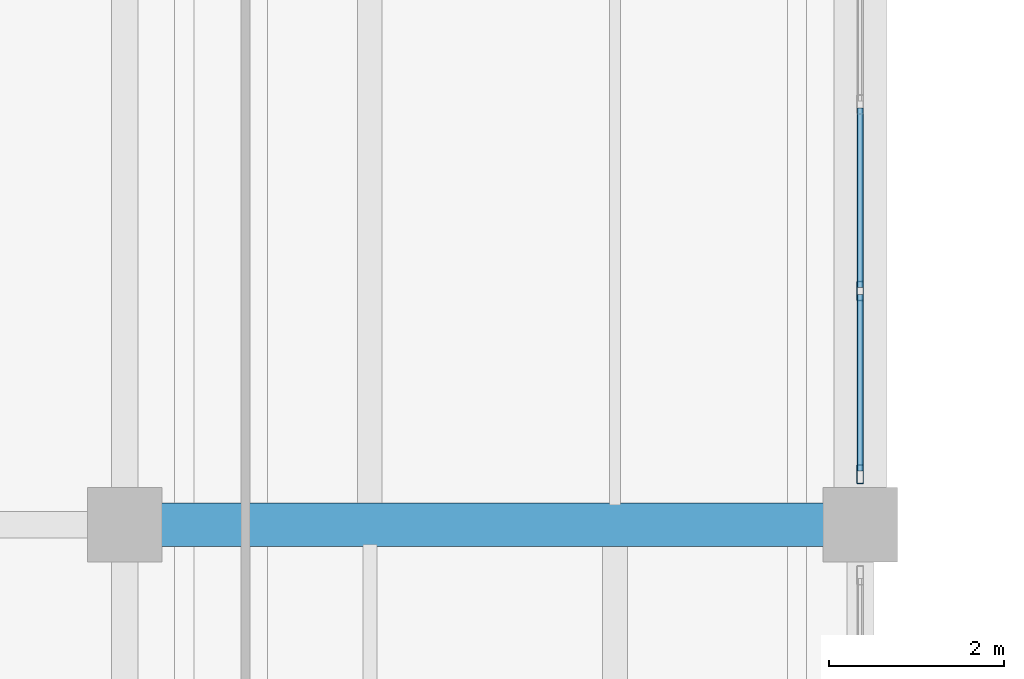
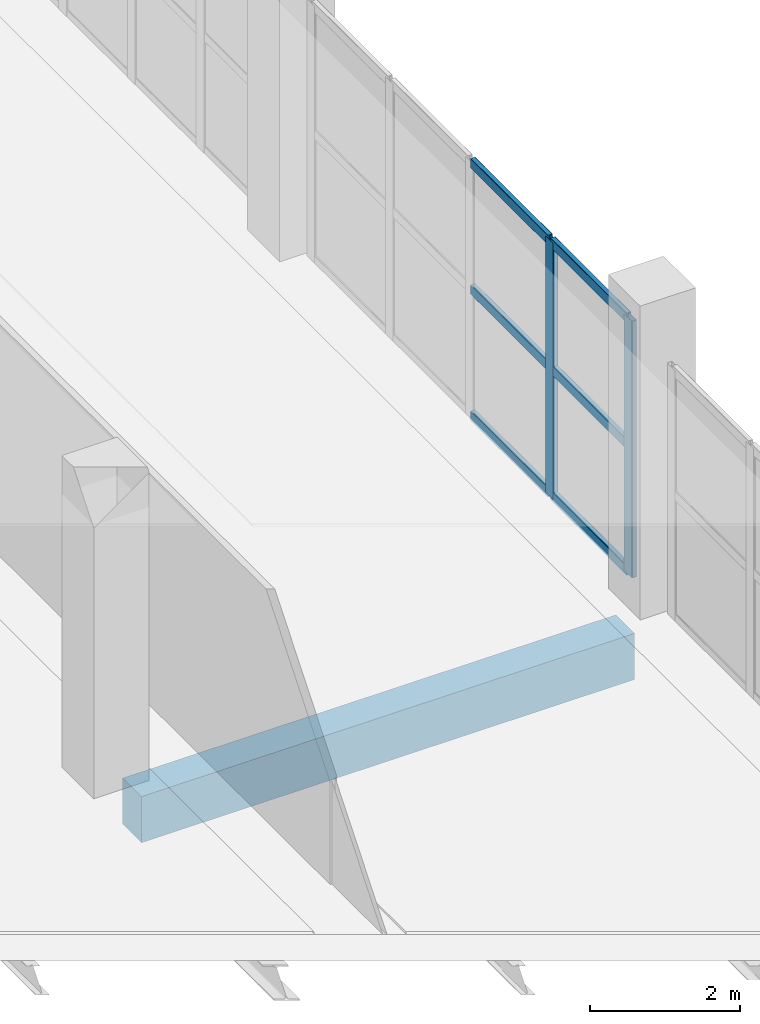
# One storey, part 29 of 66: 8 members, 1 beam, 1 element without a shape of its own.
"""IFC4 building model written with IfcOpenShell, lengths in metres."""

import ifcopenshell
import ifcopenshell.guid

model = None  # the IFC model being written
_history = None  # IfcOwnerHistory: only IFC2X3 demands one
_inside = {}  # id of a spatial element -> (the spatial element, [elements in it])
_under = {}  # id of a project, library or spatial element -> (it, [spatial elements below it])
_declared = {}  # id of a project -> (the project, [libraries it declares])
_typed = {}  # id of a type object -> (the type object, [elements of that type])
_made_of = {}  # id of a material, layer set ... -> (it, [elements and type objects made of it])


def new_model(schema):
    """Start an empty IFC model of exactly this schema.

    Asked for "IFC4X3", IfcOpenShell would pick the latest addendum, in which some entities
    have other attributes; the version numbers below select the first issue.
    IFC2X3 requires an IfcOwnerHistory on every rooted entity: one is made here for all.
    """
    global model, _history
    if schema == "IFC4X3":
        model = ifcopenshell.file(schema_version=(4, 3, 0, 0))
    else:
        model = ifcopenshell.file(schema=schema)
    _inside.clear()
    _under.clear()
    _declared.clear()
    _typed.clear()
    _made_of.clear()
    _history = None
    if model.schema == "IFC2X3":
        org = make("IfcOrganization", Name="unknown")
        user = make(
            "IfcPersonAndOrganization",
            ThePerson=make("IfcPerson", FamilyName="unknown"),
            TheOrganization=org,
        )
        app = make(
            "IfcApplication",
            ApplicationDeveloper=org,
            Version="unknown",
            ApplicationFullName="unknown",
            ApplicationIdentifier="unknown",
        )
        _history = make(
            "IfcOwnerHistory",
            OwningUser=user,
            OwningApplication=app,
            ChangeAction="ADDED",
            CreationDate=0,
        )
    return model


def make(cls, **values):
    """One entity of the class cls with the attributes given. An attribute that is None is left unset."""
    return model.create_entity(
        cls, **{name: value for name, value in values.items() if value is not None}
    )


def rooted(cls, **values):
    """An entity with a GlobalId (a new one), such as an element, a storey or a relation."""
    return make(cls, GlobalId=ifcopenshell.guid.new(), OwnerHistory=_history, **values)


def si_unit(unit_type, name, prefix=None):
    """IfcSIUnit, for example si_unit("LENGTHUNIT", "METRE", prefix="MILLI")."""
    return make("IfcSIUnit", UnitType=unit_type, Prefix=prefix, Name=name)


def assignment(units):
    """IfcUnitAssignment: the units of a project."""
    return None if units is None else make("IfcUnitAssignment", Units=units)


def point(xyz):
    """IfcCartesianPoint."""
    return None if xyz is None else make("IfcCartesianPoint", Coordinates=xyz)


def direction(xyz):
    """IfcDirection."""
    return None if xyz is None else make("IfcDirection", DirectionRatios=xyz)


def frame(location, z_axis=None, x_axis=None):
    """IfcAxis2Placement3D, a coordinate frame: its origin and axes. An axis left out is left unset."""
    return make(
        "IfcAxis2Placement3D",
        Location=point(location),
        Axis=direction(z_axis),
        RefDirection=direction(x_axis),
    )


def frame_2d(location, x_axis=None):
    """IfcAxis2Placement2D, a coordinate frame in the plane: its origin and x axis."""
    return make(
        "IfcAxis2Placement2D", Location=point(location), RefDirection=direction(x_axis)
    )


def origin():
    """The frame at (0, 0, 0) with its axes left unset."""
    return frame((0.0, 0.0, 0.0))


def origin_2d():
    """The frame at (0, 0) in the plane with its x axis left unset."""
    return frame_2d((0.0, 0.0))


def place(relative_to, where):
    """IfcLocalPlacement: puts the frame where relative to a parent placement (None: the world)."""
    return make(
        "IfcLocalPlacement", PlacementRelTo=relative_to, RelativePlacement=where
    )


def context(
    kind, dimensions, precision=None, world=None, true_north=None, identifier=None
):
    """IfcGeometricRepresentationContext, for example the 3D "Model" context."""
    return make(
        "IfcGeometricRepresentationContext",
        ContextIdentifier=identifier,
        ContextType=kind,
        CoordinateSpaceDimension=dimensions,
        Precision=precision,
        WorldCoordinateSystem=world,
        TrueNorth=true_north,
    )


def subcontext(parent, identifier, kind, view, scale=None):
    """IfcGeometricRepresentationSubContext, for example "Body" below "Model"."""
    return make(
        "IfcGeometricRepresentationSubContext",
        ContextIdentifier=identifier,
        ContextType=kind,
        ParentContext=parent,
        TargetScale=scale,
        TargetView=view,
    )


def project(units=None, contexts=None):
    """IfcProject with its units and contexts."""
    return rooted(
        "IfcProject",
        Name="project",
        RepresentationContexts=contexts,
        UnitsInContext=assignment(units),
    )


def spatial(cls, under=None, at=None, **own):
    """A site, building, storey or space (cls), placed at a placement, below another one or the project."""
    s = rooted(cls, ObjectPlacement=at, **own)
    if under is not None:
        _under.setdefault(under.id(), (under, []))[1].append(s)
    return s


def profile(cls, at=None, kind="AREA", **sizes):
    """A parametric profile (cls). Its sizes go by their IFC names, for example OverallWidth=200.0."""
    return make(cls, ProfileType=kind, Position=at, **sizes)


def rectangle(**sizes):
    """IfcRectangleProfileDef."""
    return profile("IfcRectangleProfileDef", **sizes)


def hollow_rectangle(**sizes):
    """IfcRectangleHollowProfileDef."""
    return profile("IfcRectangleHollowProfileDef", **sizes)


def extrude(swept, where, along, depth):
    """IfcExtrudedAreaSolid: the profile swept, set in the frame where, extruded along a direction by depth."""
    return make(
        "IfcExtrudedAreaSolid",
        SweptArea=swept,
        Position=where,
        ExtrudedDirection=direction(along),
        Depth=depth,
    )


def shape(context_of_items, identifier, shape_type, items):
    """IfcShapeRepresentation: the items that make up one representation, for example the "Body"."""
    return make(
        "IfcShapeRepresentation",
        ContextOfItems=context_of_items,
        RepresentationIdentifier=identifier,
        RepresentationType=shape_type,
        Items=items,
    )


def material(Name=None, Category=None):
    """IfcMaterial."""
    return make("IfcMaterial", Name=Name, Category=Category)


def layer(
    of_material, thickness, ventilated=None, Name=None, Category=None, Priority=None
):
    """IfcMaterialLayer: one layer of a wall or slab, of a material (None: an air gap)."""
    return make(
        "IfcMaterialLayer",
        Material=of_material,
        LayerThickness=thickness,
        IsVentilated=ventilated,
        Name=Name,
        Category=Category,
        Priority=Priority,
    )


def layer_set(layers, Name=None):
    """IfcMaterialLayerSet."""
    return make("IfcMaterialLayerSet", MaterialLayers=layers, LayerSetName=Name)


def material_profile(
    of_material, cross_section, Name=None, Category=None, Priority=None
):
    """IfcMaterialProfile: a cross section and its material."""
    return make(
        "IfcMaterialProfile",
        Name=Name,
        Material=of_material,
        Profile=cross_section,
        Priority=Priority,
        Category=Category,
    )


def profile_set(profiles, Name=None, composite=None):
    """IfcMaterialProfileSet."""
    return make(
        "IfcMaterialProfileSet",
        Name=Name,
        MaterialProfiles=profiles,
        CompositeProfile=composite,
    )


def made_of(thing, what):
    """Note that an element or type object is made of a material, layer set ...; save() writes the relation."""
    if what is not None:
        _made_of.setdefault(what.id(), (what, []))[1].append(thing)
    return thing


def type_object(cls, material=None, **own):
    """A type object (cls), such as IfcWallType, which elements share."""
    return made_of(rooted(cls, **own), material)


def element(
    cls,
    number,
    at=None,
    inside=None,
    cuts=None,
    type_object=None,
    material=None,
    context=None,
    identifier="Body",
    shape_type=None,
    held_by="IfcProductDefinitionShape",
    body=None,
    shapes=None,
    **own,
):
    """One element of the class cls, such as IfcWall. Its Tag is "e" and its number.

    at: its placement. inside: the storey or other place that contains it. cuts: it is an
    opening in that element (IfcRelVoidsElement). A single representation is given by context,
    identifier, shape_type and body (its items); several are given by shapes. held_by: the class
    of the entity that holds the representations. save() writes the other relations.
    """
    e = rooted(cls, Tag="e%d" % number, ObjectPlacement=at, **own)
    if body is not None:
        shapes = [shape(context, identifier, shape_type, body)]
    if shapes is not None:
        e.Representation = make(held_by, Representations=shapes)
    if inside is not None:
        _inside.setdefault(inside.id(), (inside, []))[1].append(e)
    if cuts is not None:
        rooted(
            "IfcRelVoidsElement", RelatingBuildingElement=cuts, RelatedOpeningElement=e
        )
    if type_object is not None:
        _typed.setdefault(type_object.id(), (type_object, []))[1].append(e)
    return made_of(e, material)


def aggregate(whole, parts):
    """IfcRelAggregates: a whole, such as a stair, and the parts it consists of."""
    return rooted("IfcRelAggregates", RelatingObject=whole, RelatedObjects=parts)


def save(model, path):
    """Write the relations noted so far, then the file.

    IfcRelAggregates (storeys below a building ...), IfcRelContainedInSpatialStructure (elements
    in a storey), IfcRelDefinesByType, IfcRelAssociatesMaterial and IfcRelDeclares: one each for
    every whole, place, type object, material and project.
    """
    for whole, parts in _under.values():
        aggregate(whole, parts)
    for where, things in _inside.values():
        rooted(
            "IfcRelContainedInSpatialStructure",
            RelatedElements=things,
            RelatingStructure=where,
        )
    for kind, things in _typed.values():
        rooted("IfcRelDefinesByType", RelatedObjects=things, RelatingType=kind)
    for what, things in _made_of.values():
        rooted("IfcRelAssociatesMaterial", RelatedObjects=things, RelatingMaterial=what)
    for by, libraries in _declared.values():
        rooted("IfcRelDeclares", RelatingContext=by, RelatedDefinitions=libraries)
    model.write(path)


model = new_model("IFC4")

# Units and contexts
model_context = context("Model", 3, precision=1e-05, world=origin(), true_north=direction((0.0, 1.0)))
body_context = subcontext(model_context, "Body", "Model", "MODEL_VIEW")
ifc_project = project(units=[si_unit("LENGTHUNIT", "METRE"), si_unit("AREAUNIT", "SQUARE_METRE"), si_unit("VOLUMEUNIT", "CUBIC_METRE"), si_unit("PLANEANGLEUNIT", "RADIAN"), si_unit("MASSUNIT", "GRAM", prefix="KILO")], contexts=[model_context])

# Site, building, storey
site_placement = place(None, origin())
site = spatial("IfcSite", under=ifc_project, at=site_placement, CompositionType="ELEMENT")
building_placement = place(site_placement, origin())
building = spatial("IfcBuilding", under=site, at=building_placement, Name="Zulmaris Art Gallery", CompositionType="ELEMENT")
storey_placement = place(building_placement, frame((0.0, 0.0, 5.39990234375)))
storey = spatial("IfcBuildingStorey", under=building, at=storey_placement, Name="L01", CompositionType="ELEMENT", Elevation=5.39990234375)

# Beam
ifc_material_1 = material(Name="Concrete C40/50", Category="concrete")
ifc_material_profile_1 = material_profile(ifc_material_1, rectangle(XDim=0.5, YDim=0.75, at=origin_2d()), Name="RC 500x750")
ifc_profile_set_1 = profile_set([ifc_material_profile_1], Name="Concrete C40/50")
beam_type = type_object("IfcBeamType", Name="BEAM-BM20", PredefinedType="BEAM", material=ifc_profile_set_1)
beam_placement = place(storey_placement, frame((150.409912109375, 40.800048828125, -0.704833984375), z_axis=(1.0, 0.0, 0.0), x_axis=(0.0, 1.0, 0.0)))
element("IfcBeam", 1, at=beam_placement, inside=storey, type_object=beam_type, Name="L01 X-girder (150.0..158.4, y=40.8)", PredefinedType="BEAM", context=body_context, shape_type="SweptSolid", body=[
    extrude(rectangle(XDim=0.5, YDim=0.75, at=origin_2d()), origin(), (0.0, 0.0, 1.0), 7.580078125),
])

# Curtain wall, members
ifc_material_2 = material(Name="Courtyard Artists Studio Curtain Wall", Category="aluminium")
ifc_layer = layer(ifc_material_2, 0.179931640625)
ifc_layer_set = layer_set([ifc_layer], Name="Courtyard Artists Studio Curtain Wall")
curtain_wall_type = type_object("IfcCurtainWallType", Name="CW-CW04", PredefinedType="NOTDEFINED", material=ifc_layer_set)
curtain_wall_placement = place(storey_placement, origin())
curtain_wall = element("IfcCurtainWall", 2, at=curtain_wall_placement, inside=storey, type_object=curtain_wall_type, Name="L01 curtain wall 125", PredefinedType="NOTDEFINED")
ifc_material_3 = material(Name="Anodised Bronze Aluminium", Category="aluminium")
ifc_material_profile_2 = material_profile(ifc_material_3, hollow_rectangle(XDim=0.074951171875, YDim=0.219970703125, WallThickness=0.0048828125, InnerFilletRadius=0.007568359375, OuterFilletRadius=0.012451171875, at=origin_2d()), Name="ALU 75x220x5")
ifc_profile_set_2 = profile_set([ifc_material_profile_2], Name="Anodised Bronze Aluminium")
member_type_1 = type_object("IfcMemberType", Name="CWMUL-02", PredefinedType="MULLION", material=ifc_profile_set_2)
member_1_placement = place(storey_placement, frame((158.39990234375, 41.37744140625, 0.0), z_axis=(0.0, 0.0, 1.0), x_axis=(-1.0, 0.0, 0.0)))
member_1 = element("IfcMember", 3, at=member_1_placement, type_object=member_type_1, Name="CW04 mullion 1", PredefinedType="MULLION", context=body_context, shape_type="SweptSolid", body=[
    extrude(hollow_rectangle(XDim=0.074951171875, YDim=0.219970703125, WallThickness=0.0048828125, InnerFilletRadius=0.007568359375, OuterFilletRadius=0.012451171875, at=origin_2d()), origin(), (0.0, 0.0, 1.0), 4.175048828125),
])
member_2_placement = place(storey_placement, frame((158.39990234375, 43.469970703125, 0.0), z_axis=(0.0, 0.0, 1.0), x_axis=(-1.0, 0.0, 0.0)))
member_2 = element("IfcMember", 4, at=member_2_placement, type_object=member_type_1, Name="CW04 mullion 2", PredefinedType="MULLION", context=body_context, shape_type="SweptSolid", body=[
    extrude(hollow_rectangle(XDim=0.074951171875, YDim=0.219970703125, WallThickness=0.0048828125, InnerFilletRadius=0.007568359375, OuterFilletRadius=0.012451171875, at=origin_2d()), origin(), (0.0, 0.0, 1.0), 4.175048828125),
])
ifc_material_profile_3 = material_profile(ifc_material_3, hollow_rectangle(XDim=0.074951171875, YDim=0.159912109375, WallThickness=0.00390625, InnerFilletRadius=0.006103515625, OuterFilletRadius=0.010009765625, at=origin_2d()), Name="ALU 75x160x4")
ifc_profile_set_3 = profile_set([ifc_material_profile_3], Name="Anodised Bronze Aluminium")
member_type_2 = type_object("IfcMemberType", Name="CWTRN-02", PredefinedType="USERDEFINED", material=ifc_profile_set_3)
member_3_placement = place(storey_placement, frame((158.39990234375, 41.4150390625, 0.03759765625), z_axis=(0.0, 1.0, 0.0), x_axis=(-1.0, 0.0, 0.0)))
member_3 = element("IfcMember", 5, at=member_3_placement, type_object=member_type_2, Name="CW04 transom 1.1", ObjectType="TRANSOM", PredefinedType="USERDEFINED", context=body_context, shape_type="SweptSolid", body=[
    extrude(hollow_rectangle(XDim=0.074951171875, YDim=0.159912109375, WallThickness=0.00390625, InnerFilletRadius=0.006103515625, OuterFilletRadius=0.010009765625, at=origin_2d()), origin(), (0.0, 0.0, 1.0), 2.017578125),
])
member_4_placement = place(storey_placement, frame((158.39990234375, 41.4150390625, 2.087646484375), z_axis=(0.0, 1.0, 0.0), x_axis=(-1.0, 0.0, 0.0)))
member_4 = element("IfcMember", 6, at=member_4_placement, type_object=member_type_2, Name="CW04 transom 1.2", ObjectType="TRANSOM", PredefinedType="USERDEFINED", context=body_context, shape_type="SweptSolid", body=[
    extrude(hollow_rectangle(XDim=0.074951171875, YDim=0.159912109375, WallThickness=0.00390625, InnerFilletRadius=0.006103515625, OuterFilletRadius=0.010009765625, at=origin_2d()), origin(), (0.0, 0.0, 1.0), 2.017578125),
])
member_5_placement = place(storey_placement, frame((158.39990234375, 41.4150390625, 4.1376953125), z_axis=(0.0, 1.0, 0.0), x_axis=(-1.0, 0.0, 0.0)))
member_5 = element("IfcMember", 7, at=member_5_placement, type_object=member_type_2, Name="CW04 transom 1.3", ObjectType="TRANSOM", PredefinedType="USERDEFINED", context=body_context, shape_type="SweptSolid", body=[
    extrude(hollow_rectangle(XDim=0.074951171875, YDim=0.159912109375, WallThickness=0.00390625, InnerFilletRadius=0.006103515625, OuterFilletRadius=0.010009765625, at=origin_2d()), origin(), (0.0, 0.0, 1.0), 2.017578125),
])
member_6_placement = place(storey_placement, frame((158.39990234375, 43.507568359375, 0.03759765625), z_axis=(0.0, 1.0, 0.0), x_axis=(-1.0, 0.0, 0.0)))
member_6 = element("IfcMember", 8, at=member_6_placement, type_object=member_type_2, Name="CW04 transom 2.1", ObjectType="TRANSOM", PredefinedType="USERDEFINED", context=body_context, shape_type="SweptSolid", body=[
    extrude(hollow_rectangle(XDim=0.074951171875, YDim=0.159912109375, WallThickness=0.00390625, InnerFilletRadius=0.006103515625, OuterFilletRadius=0.010009765625, at=origin_2d()), origin(), (0.0, 0.0, 1.0), 2.054931640625),
])
member_7_placement = place(storey_placement, frame((158.39990234375, 43.507568359375, 2.087646484375), z_axis=(0.0, 1.0, 0.0), x_axis=(-1.0, 0.0, 0.0)))
member_7 = element("IfcMember", 9, at=member_7_placement, type_object=member_type_2, Name="CW04 transom 2.2", ObjectType="TRANSOM", PredefinedType="USERDEFINED", context=body_context, shape_type="SweptSolid", body=[
    extrude(hollow_rectangle(XDim=0.074951171875, YDim=0.159912109375, WallThickness=0.00390625, InnerFilletRadius=0.006103515625, OuterFilletRadius=0.010009765625, at=origin_2d()), origin(), (0.0, 0.0, 1.0), 2.054931640625),
])
member_8_placement = place(storey_placement, frame((158.39990234375, 43.507568359375, 4.1376953125), z_axis=(0.0, 1.0, 0.0), x_axis=(-1.0, 0.0, 0.0)))
member_8 = element("IfcMember", 10, at=member_8_placement, type_object=member_type_2, Name="CW04 transom 2.3", ObjectType="TRANSOM", PredefinedType="USERDEFINED", context=body_context, shape_type="SweptSolid", body=[
    extrude(hollow_rectangle(XDim=0.074951171875, YDim=0.159912109375, WallThickness=0.00390625, InnerFilletRadius=0.006103515625, OuterFilletRadius=0.010009765625, at=origin_2d()), origin(), (0.0, 0.0, 1.0), 2.054931640625),
])
aggregate(curtain_wall, [member_1, member_2, member_3, member_4, member_5, member_6, member_7, member_8])

save(model, "model.ifc")
